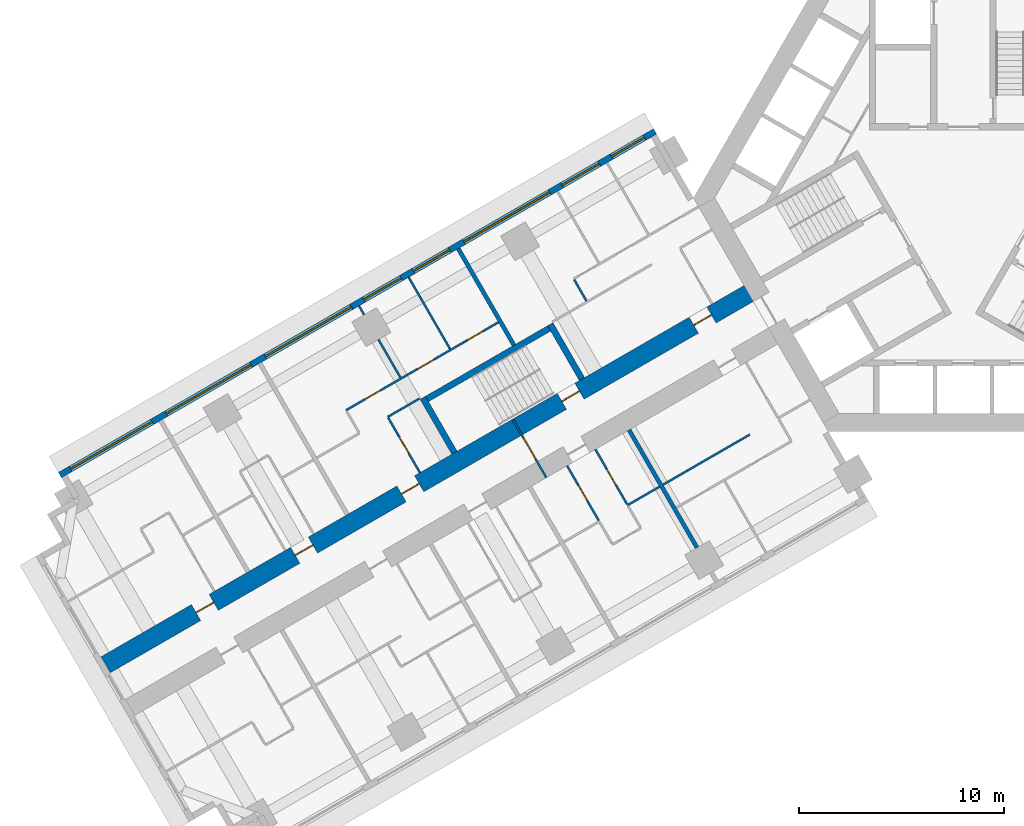
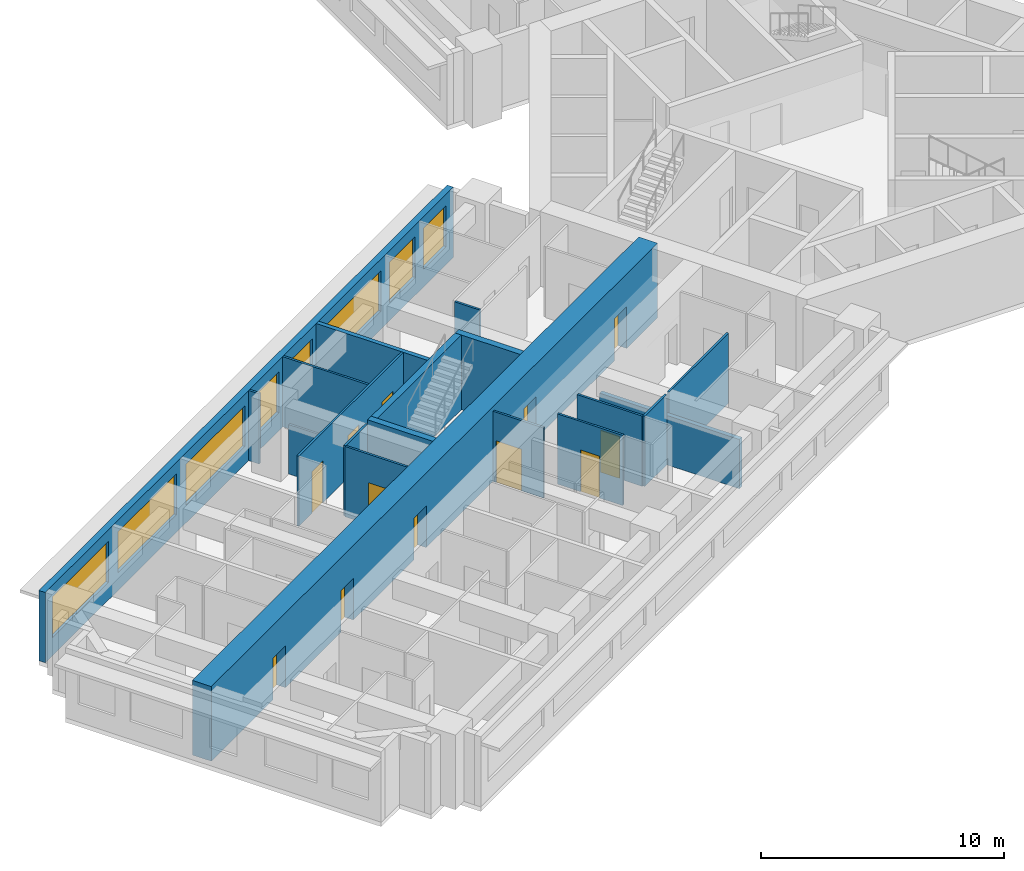
# One storey, part 5 of 16: 19 walls, 12 doors, 8 windows, 20 openings.
"""IFC4 building model written with IfcOpenShell, lengths in metres."""

from ifc_helpers import new_model, si_unit, direction, frame, frame_2d, origin, place, context, subcontext, project, spatial, rectangle, extrude, material, layer, layer_set, type_object, element, fill, save


model = new_model("IFC4")

# Units and contexts
model_context = context("Model", 3, precision=1e-05, world=origin(), true_north=direction((0.0, 1.0)))
body_context = subcontext(model_context, "Body", "Model", "MODEL_VIEW")
ifc_project = project(units=[si_unit("LENGTHUNIT", "METRE"), si_unit("AREAUNIT", "SQUARE_METRE"), si_unit("VOLUMEUNIT", "CUBIC_METRE"), si_unit("PLANEANGLEUNIT", "RADIAN"), si_unit("MASSUNIT", "GRAM", prefix="KILO")], contexts=[model_context])

# Site, building, storey
site_placement = place(None, origin())
site = spatial("IfcSite", under=ifc_project, at=site_placement, CompositionType="ELEMENT")
building_placement = place(site_placement, origin())
building = spatial("IfcBuilding", under=site, at=building_placement, Name="Impinga Residences", CompositionType="ELEMENT")
storey_placement = place(building_placement, frame((0.0, 0.0, 67.25)))
storey = spatial("IfcBuildingStorey", under=building, at=storey_placement, Name="L16", CompositionType="ELEMENT", Elevation=67.25)

# Wall, openings, doors
ifc_material_1 = material(Name="Concrete C70/85", Category="concrete")
ifc_layer_1 = layer(ifc_material_1, 0.89990234375)
ifc_layer_set_1 = layer_set([ifc_layer_1], Name="Concrete C70/85")
wall_type_1 = type_object("IfcWallType", Name="BW1 corridor buttress wall, L05 to L22 900", PredefinedType="SHEAR", material=ifc_layer_set_1)
wall_1_placement = place(storey_placement, frame((-10.1103515625, -4.451416015625, 0.0), z_axis=(0.0, 0.0, 1.0), x_axis=(-0.866025284237, -0.500000207062, 0.0)))
wall_1 = element("IfcWall", 1, at=wall_1_placement, inside=storey, type_object=wall_type_1, Name="Corridor wall BW1 WD L16", PredefinedType="SHEAR", context=body_context, shape_type="SweptSolid", body=[
    extrude(rectangle(XDim=36.75, YDim=0.89990234375, at=frame_2d((18.375, 0.0))), origin(), (0.0, 0.0, 1.0), 3.75),
])
opening_1_placement = place(wall_1_placement, frame((10.0, 0.0, 0.0)))
opening_1 = element("IfcOpeningElement", 2, at=opening_1_placement, cuts=wall_1, Name="Opening D5", PredefinedType="OPENING", context=body_context, shape_type="SweptSolid", body=[
    extrude(rectangle(XDim=1.0, YDim=2.10009765625, at=frame_2d((0.5, 1.050048828125))), frame((0.0, 0.4599609375, 0.0), z_axis=(0.0, -1.0, 0.0), x_axis=(1.0, 0.0, 0.0)), (0.0, 0.0, 1.0), 0.919921875),
])
opening_2_placement = place(wall_1_placement, frame((2.550048828125, 0.0, 0.0)))
opening_2 = element("IfcOpeningElement", 3, at=opening_2_placement, cuts=wall_1, Name="Opening D1", PredefinedType="OPENING", context=body_context, shape_type="SweptSolid", body=[
    extrude(rectangle(XDim=1.0, YDim=2.10009765625, at=frame_2d((0.5, 1.050048828125))), frame((0.0, 0.4599609375, 0.0), z_axis=(0.0, -1.0, 0.0), x_axis=(1.0, 0.0, 0.0)), (0.0, 0.0, 1.0), 0.919921875),
])
opening_3_placement = place(wall_1_placement, frame((19.050048828125, 0.0, 0.0)))
opening_3 = element("IfcOpeningElement", 4, at=opening_3_placement, cuts=wall_1, Name="Opening D1", PredefinedType="OPENING", context=body_context, shape_type="SweptSolid", body=[
    extrude(rectangle(XDim=1.0, YDim=2.10009765625, at=frame_2d((0.5, 1.050048828125))), frame((0.0, 0.4599609375, 0.0), z_axis=(0.0, -1.0, 0.0), x_axis=(1.0, 0.0, 0.0)), (0.0, 0.0, 1.0), 0.919921875),
])
opening_4_placement = place(wall_1_placement, frame((25.050048828125, 0.0, 0.0)))
opening_4 = element("IfcOpeningElement", 5, at=opening_4_placement, cuts=wall_1, Name="Opening D1", PredefinedType="OPENING", context=body_context, shape_type="SweptSolid", body=[
    extrude(rectangle(XDim=1.0, YDim=2.10009765625, at=frame_2d((0.5, 1.050048828125))), frame((0.0, 0.4599609375, 0.0), z_axis=(0.0, -1.0, 0.0), x_axis=(1.0, 0.0, 0.0)), (0.0, 0.0, 1.0), 0.919921875),
])
opening_5_placement = place(wall_1_placement, frame((30.64990234375, 0.0, 0.0)))
opening_5 = element("IfcOpeningElement", 6, at=opening_5_placement, cuts=wall_1, Name="Opening D1", PredefinedType="OPENING", context=body_context, shape_type="SweptSolid", body=[
    extrude(rectangle(XDim=1.0, YDim=2.10009765625, at=frame_2d((0.5, 1.050048828125))), frame((0.0, 0.4599609375, 0.0), z_axis=(0.0, -1.0, 0.0), x_axis=(1.0, 0.0, 0.0)), (0.0, 0.0, 1.0), 0.919921875),
])
ifc_material_2 = material(Name="Timber door set", Category="wood")
door_type_1 = type_object("IfcDoorType", Name="D1 apartment entrance door 1000x2100", OperationType="SINGLE_SWING_LEFT", PredefinedType="DOOR", material=ifc_material_2)
door_1_placement = place(opening_2_placement, origin())
door_1 = element("IfcDoor", 7, at=door_1_placement, inside=storey, type_object=door_type_1, Name="Apartment L16-WF1 entrance", OperationType="SINGLE_SWING_LEFT", OverallHeight=2.10009765625, OverallWidth=1.0, PredefinedType="DOOR", context=body_context, shape_type="SweptSolid", body=[
    extrude(rectangle(XDim=1.0, YDim=2.10009765625, at=frame_2d((0.5, 1.050048828125))), frame((0.0, 0.02490234375, 0.0), z_axis=(0.0, -1.0, 0.0), x_axis=(1.0, 0.0, 0.0)), (0.0, 0.0, 1.0), 0.050048828125),
])
fill(opening_2, door_1)
door_2_placement = place(opening_3_placement, origin())
door_2 = element("IfcDoor", 8, at=door_2_placement, inside=storey, type_object=door_type_1, Name="Apartment L16-WF2 entrance", OperationType="SINGLE_SWING_RIGHT", OverallHeight=2.10009765625, OverallWidth=1.0, PredefinedType="DOOR", context=body_context, shape_type="SweptSolid", body=[
    extrude(rectangle(XDim=1.0, YDim=2.10009765625, at=frame_2d((0.5, 1.050048828125))), frame((0.0, 0.02490234375, 0.0), z_axis=(0.0, -1.0, 0.0), x_axis=(1.0, 0.0, 0.0)), (0.0, 0.0, 1.0), 0.050048828125),
])
fill(opening_3, door_2)
door_3_placement = place(opening_4_placement, origin())
door_3 = element("IfcDoor", 9, at=door_3_placement, inside=storey, type_object=door_type_1, Name="Apartment L16-WF3 entrance", OperationType="SINGLE_SWING_RIGHT", OverallHeight=2.10009765625, OverallWidth=1.0, PredefinedType="DOOR", context=body_context, shape_type="SweptSolid", body=[
    extrude(rectangle(XDim=1.0, YDim=2.10009765625, at=frame_2d((0.5, 1.050048828125))), frame((0.0, 0.02490234375, 0.0), z_axis=(0.0, -1.0, 0.0), x_axis=(1.0, 0.0, 0.0)), (0.0, 0.0, 1.0), 0.050048828125),
])
fill(opening_4, door_3)
door_4_placement = place(opening_5_placement, origin())
door_4 = element("IfcDoor", 10, at=door_4_placement, inside=storey, type_object=door_type_1, Name="Apartment L16-WF4 entrance", OperationType="SINGLE_SWING_RIGHT", OverallHeight=2.10009765625, OverallWidth=1.0, PredefinedType="DOOR", context=body_context, shape_type="SweptSolid", body=[
    extrude(rectangle(XDim=1.0, YDim=2.10009765625, at=frame_2d((0.5, 1.050048828125))), frame((0.0, 0.02490234375, 0.0), z_axis=(0.0, -1.0, 0.0), x_axis=(1.0, 0.0, 0.0)), (0.0, 0.0, 1.0), 0.050048828125),
])
fill(opening_5, door_4)
door_type_2 = type_object("IfcDoorType", Name="D5 stair door 1000x2100", OperationType="SINGLE_SWING_LEFT", PredefinedType="DOOR", material=ifc_material_2)
door_5_placement = place(opening_1_placement, origin())
door_5 = element("IfcDoor", 11, at=door_5_placement, inside=storey, type_object=door_type_2, Name="Wing stair door W", OperationType="SINGLE_SWING_LEFT", OverallHeight=2.10009765625, OverallWidth=1.0, PredefinedType="DOOR", context=body_context, shape_type="SweptSolid", body=[
    extrude(rectangle(XDim=1.0, YDim=2.10009765625, at=frame_2d((0.5, 1.050048828125))), frame((0.0, 0.02490234375, 0.0), z_axis=(0.0, -1.0, 0.0), x_axis=(1.0, 0.0, 0.0)), (0.0, 0.0, 1.0), 0.050048828125),
])
fill(opening_1, door_5)

# Wall, opening, door
ifc_material_3 = material(Name="Concrete blockwork", Category="masonry")
ifc_layer_2 = layer(ifc_material_3, 0.10009765625)
ifc_layer_set_2 = layer_set([ifc_layer_2], Name="CP1 core room partition, blockwork 100")
wall_type_2 = type_object("IfcWallType", Name="CP1 core room partition, blockwork 100", PredefinedType="PARTITIONING", material=ifc_layer_set_2)
wall_2_placement = place(storey_placement, frame((-20.392578125, -13.678955078125, 0.0), z_axis=(0.0, 0.0, 1.0), x_axis=(-0.50002983664, 0.866008176907, 0.0)))
wall_2 = element("IfcWall", 12, at=wall_2_placement, inside=storey, type_object=wall_type_2, Name="Core room partition, blockwork L16:W:SCR", PredefinedType="PARTITIONING", context=body_context, shape_type="SweptSolid", body=[
    extrude(rectangle(XDim=3.300048828125, YDim=0.10009765625, at=frame_2d((1.64990234375, 0.0))), origin(), (0.0, 0.0, 1.0), 3.530029296875),
])
opening_6_placement = place(wall_2_placement, frame((1.050048828125, 0.0, 0.0)))
opening_6 = element("IfcOpeningElement", 13, at=opening_6_placement, cuts=wall_2, Name="Opening D3", PredefinedType="OPENING", context=body_context, shape_type="SweptSolid", body=[
    extrude(rectangle(XDim=1.199951171875, YDim=2.10009765625, at=frame_2d((0.60009765625, 1.050048828125))), frame((0.0, 0.06005859375, 0.0), z_axis=(0.0, -1.0, 0.0), x_axis=(1.0, 0.0, 0.0)), (0.0, 0.0, 1.0), 0.1201171875),
])
door_type_3 = type_object("IfcDoorType", Name="D3 room door, leaf and a half 1200x2100", OperationType="DOUBLE_SWING_LEFT", PredefinedType="DOOR", material=ifc_material_2)
door_6_placement = place(opening_6_placement, origin())
door_6 = element("IfcDoor", 14, at=door_6_placement, inside=storey, type_object=door_type_3, Name="Corridor smoke door W", OperationType="DOUBLE_SWING_LEFT", OverallHeight=2.10009765625, OverallWidth=1.199951171875, PredefinedType="DOOR", context=body_context, shape_type="SweptSolid", body=[
    extrude(rectangle(XDim=1.199951171875, YDim=2.10009765625, at=frame_2d((0.60009765625, 1.050048828125))), frame((0.0, 0.02490234375, 0.0), z_axis=(0.0, -1.0, 0.0), x_axis=(1.0, 0.0, 0.0)), (0.0, 0.0, 1.0), 0.050048828125),
])
fill(opening_6, door_6)

# Wall, openings, windows
ifc_material_4 = material(Name="Terracotta rainscreen on blockwork", Category="masonry")
ifc_layer_3 = layer(ifc_material_4, 0.300048828125)
ifc_layer_set_3 = layer_set([ifc_layer_3], Name="EW1 external wall, terracotta rainscreen on blockwork 300")
wall_type_3 = type_object("IfcWallType", Name="EW1 external wall, terracotta rainscreen on blockwork 300", PredefinedType="SOLIDWALL", material=ifc_layer_set_3)
wall_3_placement = place(storey_placement, frame((-44.17333984375, -13.552490234375, 0.0), z_axis=(0.0, 0.0, 1.0), x_axis=(0.866024291668, 0.500001926238, 0.0)))
wall_3 = element("IfcWall", 15, at=wall_3_placement, inside=storey, type_object=wall_type_3, Name="External wall EW1 L16", PredefinedType="SOLIDWALL", context=body_context, shape_type="SweptSolid", body=[
    extrude(rectangle(XDim=33.599853515625, YDim=0.300048828125, at=frame_2d((16.7998046875, 0.0))), origin(), (0.0, 0.0, 1.0), 3.530029296875),
])
opening_7_placement = place(wall_3_placement, frame((0.60009765625, 0.0, 0.89990234375)))
opening_7 = element("IfcOpeningElement", 16, at=opening_7_placement, cuts=wall_3, Name="Opening W3", PredefinedType="OPENING", context=body_context, shape_type="SweptSolid", body=[
    extrude(rectangle(XDim=4.60009765625, YDim=2.050048828125, at=frame_2d((2.300048828125, 1.02490234375))), frame((0.0, 0.159912109375, 0.0), z_axis=(0.0, -1.0, 0.0), x_axis=(1.0, 0.0, 0.0)), (0.0, 0.0, 1.0), 0.320068359375),
])
opening_8_placement = place(wall_3_placement, frame((6.0, 0.0, 0.89990234375)))
opening_8 = element("IfcOpeningElement", 17, at=opening_8_placement, cuts=wall_3, Name="Opening W8", PredefinedType="OPENING", context=body_context, shape_type="SweptSolid", body=[
    extrude(rectangle(XDim=4.800048828125, YDim=2.050048828125, at=frame_2d((2.39990234375, 1.02490234375))), frame((0.0, 0.159912109375, 0.0), z_axis=(0.0, -1.0, 0.0), x_axis=(1.0, 0.0, 0.0)), (0.0, 0.0, 1.0), 0.320068359375),
])
opening_9_placement = place(wall_3_placement, frame((11.60009765625, 0.0, 0.89990234375)))
opening_9 = element("IfcOpeningElement", 18, at=opening_9_placement, cuts=wall_3, Name="Opening W6", PredefinedType="OPENING", context=body_context, shape_type="SweptSolid", body=[
    extrude(rectangle(XDim=4.85009765625, YDim=2.050048828125, at=frame_2d((2.425048828125, 1.02490234375))), frame((0.0, 0.159912109375, 0.0), z_axis=(0.0, -1.0, 0.0), x_axis=(1.0, 0.0, 0.0)), (0.0, 0.0, 1.0), 0.320068359375),
])
opening_10_placement = place(wall_3_placement, frame((17.14990234375, 0.0, 0.89990234375)))
opening_10 = element("IfcOpeningElement", 19, at=opening_10_placement, cuts=wall_3, Name="Opening W9", PredefinedType="OPENING", context=body_context, shape_type="SweptSolid", body=[
    extrude(rectangle(XDim=2.10009765625, YDim=2.050048828125, at=frame_2d((1.050048828125, 1.02490234375))), frame((0.0, 0.159912109375, 0.0), z_axis=(0.0, -1.0, 0.0), x_axis=(1.0, 0.0, 0.0)), (0.0, 0.0, 1.0), 0.320068359375),
])
opening_11_placement = place(wall_3_placement, frame((19.949951171875, 0.0, 0.89990234375)))
opening_11 = element("IfcOpeningElement", 20, at=opening_11_placement, cuts=wall_3, Name="Opening W14", PredefinedType="OPENING", context=body_context, shape_type="SweptSolid", body=[
    extrude(rectangle(XDim=2.050048828125, YDim=2.050048828125, at=frame_2d((1.02490234375, 1.02490234375))), frame((0.0, 0.159912109375, 0.0), z_axis=(0.0, -1.0, 0.0), x_axis=(1.0, 0.0, 0.0)), (0.0, 0.0, 1.0), 0.320068359375),
])
opening_12_placement = place(wall_3_placement, frame((22.800048828125, 0.0, 0.89990234375)))
opening_12 = element("IfcOpeningElement", 21, at=opening_12_placement, cuts=wall_3, Name="Opening W6", PredefinedType="OPENING", context=body_context, shape_type="SweptSolid", body=[
    extrude(rectangle(XDim=4.85009765625, YDim=2.050048828125, at=frame_2d((2.425048828125, 1.02490234375))), frame((0.0, 0.159912109375, 0.0), z_axis=(0.0, -1.0, 0.0), x_axis=(1.0, 0.0, 0.0)), (0.0, 0.0, 1.0), 0.320068359375),
])
opening_13_placement = place(wall_3_placement, frame((28.35009765625, 0.0, 0.89990234375)))
opening_13 = element("IfcOpeningElement", 22, at=opening_13_placement, cuts=wall_3, Name="Opening W9", PredefinedType="OPENING", context=body_context, shape_type="SweptSolid", body=[
    extrude(rectangle(XDim=2.10009765625, YDim=2.050048828125, at=frame_2d((1.050048828125, 1.02490234375))), frame((0.0, 0.159912109375, 0.0), z_axis=(0.0, -1.0, 0.0), x_axis=(1.0, 0.0, 0.0)), (0.0, 0.0, 1.0), 0.320068359375),
])
opening_14_placement = place(wall_3_placement, frame((31.14990234375, 0.0, 0.89990234375)))
opening_14 = element("IfcOpeningElement", 23, at=opening_14_placement, cuts=wall_3, Name="Opening W15", PredefinedType="OPENING", context=body_context, shape_type="SweptSolid", body=[
    extrude(rectangle(XDim=1.85009765625, YDim=2.050048828125, at=frame_2d((0.925048828125, 1.02490234375))), frame((0.0, 0.159912109375, 0.0), z_axis=(0.0, -1.0, 0.0), x_axis=(1.0, 0.0, 0.0)), (0.0, 0.0, 1.0), 0.320068359375),
])
ifc_material_5 = material(Name="Aluminium window, clear double glazing", Category="aluminium")
window_type_1 = type_object("IfcWindowType", Name="W14 ribbon window 2050x2050", PartitioningType="SINGLE_PANEL", PredefinedType="WINDOW", material=ifc_material_5)
window_1_placement = place(opening_11_placement, origin())
window_1 = element("IfcWindow", 24, at=window_1_placement, inside=storey, type_object=window_type_1, Name="Window L16", OverallHeight=2.050048828125, OverallWidth=2.050048828125, PartitioningType="SINGLE_PANEL", PredefinedType="WINDOW", context=body_context, shape_type="SweptSolid", body=[
    extrude(rectangle(XDim=2.050048828125, YDim=2.050048828125, at=frame_2d((1.02490234375, 1.02490234375))), frame((0.0, 0.030029296875, 0.0), z_axis=(0.0, -1.0, 0.0), x_axis=(1.0, 0.0, 0.0)), (0.0, 0.0, 1.0), 0.06005859375),
])
fill(opening_11, window_1)
window_type_2 = type_object("IfcWindowType", Name="W15 ribbon window 1850x2050", PartitioningType="SINGLE_PANEL", PredefinedType="WINDOW", material=ifc_material_5)
window_2_placement = place(opening_14_placement, origin())
window_2 = element("IfcWindow", 25, at=window_2_placement, inside=storey, type_object=window_type_2, Name="Window L16", OverallHeight=2.050048828125, OverallWidth=1.85009765625, PartitioningType="SINGLE_PANEL", PredefinedType="WINDOW", context=body_context, shape_type="SweptSolid", body=[
    extrude(rectangle(XDim=1.85009765625, YDim=2.050048828125, at=frame_2d((0.925048828125, 1.02490234375))), frame((0.0, 0.030029296875, 0.0), z_axis=(0.0, -1.0, 0.0), x_axis=(1.0, 0.0, 0.0)), (0.0, 0.0, 1.0), 0.06005859375),
])
fill(opening_14, window_2)
window_type_3 = type_object("IfcWindowType", Name="W3 ribbon window 4600x2050", PartitioningType="SINGLE_PANEL", PredefinedType="WINDOW", material=ifc_material_5)
window_3_placement = place(opening_7_placement, origin())
window_3 = element("IfcWindow", 26, at=window_3_placement, inside=storey, type_object=window_type_3, Name="Window L16", OverallHeight=2.050048828125, OverallWidth=4.60009765625, PartitioningType="SINGLE_PANEL", PredefinedType="WINDOW", context=body_context, shape_type="SweptSolid", body=[
    extrude(rectangle(XDim=4.60009765625, YDim=2.050048828125, at=frame_2d((2.300048828125, 1.02490234375))), frame((0.0, 0.030029296875, 0.0), z_axis=(0.0, -1.0, 0.0), x_axis=(1.0, 0.0, 0.0)), (0.0, 0.0, 1.0), 0.06005859375),
])
fill(opening_7, window_3)
window_type_4 = type_object("IfcWindowType", Name="W6 ribbon window 4850x2050", PartitioningType="SINGLE_PANEL", PredefinedType="WINDOW", material=ifc_material_5)
window_4_placement = place(opening_9_placement, origin())
window_4 = element("IfcWindow", 27, at=window_4_placement, inside=storey, type_object=window_type_4, Name="Window L16", OverallHeight=2.050048828125, OverallWidth=4.85009765625, PartitioningType="SINGLE_PANEL", PredefinedType="WINDOW", context=body_context, shape_type="SweptSolid", body=[
    extrude(rectangle(XDim=4.85009765625, YDim=2.050048828125, at=frame_2d((2.425048828125, 1.02490234375))), frame((0.0, 0.030029296875, 0.0), z_axis=(0.0, -1.0, 0.0), x_axis=(1.0, 0.0, 0.0)), (0.0, 0.0, 1.0), 0.06005859375),
])
fill(opening_9, window_4)
window_5_placement = place(opening_12_placement, origin())
window_5 = element("IfcWindow", 28, at=window_5_placement, inside=storey, type_object=window_type_4, Name="Window L16", OverallHeight=2.050048828125, OverallWidth=4.85009765625, PartitioningType="SINGLE_PANEL", PredefinedType="WINDOW", context=body_context, shape_type="SweptSolid", body=[
    extrude(rectangle(XDim=4.85009765625, YDim=2.050048828125, at=frame_2d((2.425048828125, 1.02490234375))), frame((0.0, 0.030029296875, 0.0), z_axis=(0.0, -1.0, 0.0), x_axis=(1.0, 0.0, 0.0)), (0.0, 0.0, 1.0), 0.06005859375),
])
fill(opening_12, window_5)
window_type_5 = type_object("IfcWindowType", Name="W8 ribbon window 4800x2050", PartitioningType="SINGLE_PANEL", PredefinedType="WINDOW", material=ifc_material_5)
window_6_placement = place(opening_8_placement, origin())
window_6 = element("IfcWindow", 29, at=window_6_placement, inside=storey, type_object=window_type_5, Name="Window L16", OverallHeight=2.050048828125, OverallWidth=4.800048828125, PartitioningType="SINGLE_PANEL", PredefinedType="WINDOW", context=body_context, shape_type="SweptSolid", body=[
    extrude(rectangle(XDim=4.800048828125, YDim=2.050048828125, at=frame_2d((2.39990234375, 1.02490234375))), frame((0.0, 0.030029296875, 0.0), z_axis=(0.0, -1.0, 0.0), x_axis=(1.0, 0.0, 0.0)), (0.0, 0.0, 1.0), 0.06005859375),
])
fill(opening_8, window_6)
window_type_6 = type_object("IfcWindowType", Name="W9 ribbon window 2100x2050", PartitioningType="SINGLE_PANEL", PredefinedType="WINDOW", material=ifc_material_5)
window_7_placement = place(opening_10_placement, origin())
window_7 = element("IfcWindow", 30, at=window_7_placement, inside=storey, type_object=window_type_6, Name="Window L16", OverallHeight=2.050048828125, OverallWidth=2.10009765625, PartitioningType="SINGLE_PANEL", PredefinedType="WINDOW", context=body_context, shape_type="SweptSolid", body=[
    extrude(rectangle(XDim=2.10009765625, YDim=2.050048828125, at=frame_2d((1.050048828125, 1.02490234375))), frame((0.0, 0.030029296875, 0.0), z_axis=(0.0, -1.0, 0.0), x_axis=(1.0, 0.0, 0.0)), (0.0, 0.0, 1.0), 0.06005859375),
])
fill(opening_10, window_7)
window_8_placement = place(opening_13_placement, origin())
window_8 = element("IfcWindow", 31, at=window_8_placement, inside=storey, type_object=window_type_6, Name="Window L16", OverallHeight=2.050048828125, OverallWidth=2.10009765625, PartitioningType="SINGLE_PANEL", PredefinedType="WINDOW", context=body_context, shape_type="SweptSolid", body=[
    extrude(rectangle(XDim=2.10009765625, YDim=2.050048828125, at=frame_2d((1.050048828125, 1.02490234375))), frame((0.0, 0.030029296875, 0.0), z_axis=(0.0, -1.0, 0.0), x_axis=(1.0, 0.0, 0.0)), (0.0, 0.0, 1.0), 0.06005859375),
])
fill(opening_13, window_8)

# Walls
ifc_material_6 = material(Name="Gypsum board on steel studs", Category="steel")
ifc_layer_4 = layer(ifc_material_6, 0.10009765625)
ifc_layer_set_4 = layer_set([ifc_layer_4], Name="Gypsum board on steel studs")
wall_type_4 = type_object("IfcWallType", Name="IP1 partition 100", PredefinedType="PARTITIONING", material=ifc_layer_set_4)
wall_4_placement = place(storey_placement, frame((-10.444580078125, -11.57275390625, 0.0), z_axis=(0.0, 0.0, 1.0), x_axis=(-0.866023786258, -0.500002801628, 0.0)))
element("IfcWall", 32, at=wall_4_placement, inside=storey, type_object=wall_type_4, Name="Partition L16-WA1:DIV1", PredefinedType="PARTITIONING", context=body_context, shape_type="SweptSolid", body=[
    extrude(rectangle(XDim=4.89990234375, YDim=0.10009765625, at=frame_2d((2.449951171875, 0.0))), origin(), (0.0, 0.0, 1.0), 3.530029296875),
])
wall_5_placement = place(storey_placement, frame((-14.861328125, -14.122802734375, 0.0), z_axis=(0.0, 0.0, 1.0), x_axis=(-0.866047807691, -0.499961193289, 0.0)))
element("IfcWall", 33, at=wall_5_placement, inside=storey, type_object=wall_type_4, Name="Partition L16-WA2:DIV0", PredefinedType="PARTITIONING", context=body_context, shape_type="SweptSolid", body=[
    extrude(rectangle(XDim=1.800048828125, YDim=0.10009765625, at=frame_2d((0.89990234375, 0.0))), origin(), (0.0, 0.0, 1.0), 3.530029296875),
])

# Wall, opening, door
wall_6_placement = place(storey_placement, frame((-17.9951171875, -12.294677734375, 0.0), z_axis=(0.0, 0.0, 1.0), x_axis=(0.49999285859, -0.86602952684, 0.0)))
wall_6 = element("IfcWall", 34, at=wall_6_placement, inside=storey, type_object=wall_type_4, Name="Partition L16-WA2:IB1", PredefinedType="PARTITIONING", context=body_context, shape_type="SweptSolid", body=[
    extrude(rectangle(XDim=3.10009765625, YDim=0.10009765625, at=frame_2d((1.550048828125, 0.0))), origin(), (0.0, 0.0, 1.0), 3.530029296875),
])
opening_15_placement = place(wall_6_placement, frame((1.10009765625, 0.0, 0.0)))
opening_15 = element("IfcOpeningElement", 35, at=opening_15_placement, cuts=wall_6, Name="Opening D2", PredefinedType="OPENING", context=body_context, shape_type="SweptSolid", body=[
    extrude(rectangle(XDim=0.89990234375, YDim=2.10009765625, at=frame_2d((0.449951171875, 1.050048828125))), frame((0.0, 0.06005859375, 0.0), z_axis=(0.0, -1.0, 0.0), x_axis=(1.0, 0.0, 0.0)), (0.0, 0.0, 1.0), 0.1201171875),
])
door_type_4 = type_object("IfcDoorType", Name="D2 internal door 900x2100", OperationType="SINGLE_SWING_LEFT", PredefinedType="DOOR", material=ifc_material_2)
door_7_placement = place(opening_15_placement, origin())
door_7 = element("IfcDoor", 36, at=door_7_placement, inside=storey, type_object=door_type_4, Name="Apartment L16-WA2 bathroom door", OperationType="SINGLE_SWING_LEFT", OverallHeight=2.10009765625, OverallWidth=0.89990234375, PredefinedType="DOOR", context=body_context, shape_type="SweptSolid", body=[
    extrude(rectangle(XDim=0.89990234375, YDim=2.10009765625, at=frame_2d((0.449951171875, 1.050048828125))), frame((0.0, 0.02490234375, 0.0), z_axis=(0.0, -1.0, 0.0), x_axis=(1.0, 0.0, 0.0)), (0.0, 0.0, 1.0), 0.050048828125),
])
fill(opening_15, door_7)

wall_7_placement = place(storey_placement, frame((-19.380615234375, -13.0947265625, 0.0), z_axis=(0.0, 0.0, 1.0), x_axis=(0.499967891604, -0.866043940782, 0.0)))
wall_7 = element("IfcWall", 37, at=wall_7_placement, inside=storey, type_object=wall_type_4, Name="Partition L16-WA2:IB2", PredefinedType="PARTITIONING", context=body_context, shape_type="SweptSolid", body=[
    extrude(rectangle(XDim=3.099853515625, YDim=0.10009765625, at=frame_2d((1.5498046875, 0.0))), origin(), (0.0, 0.0, 1.0), 3.530029296875),
])
opening_16_placement = place(wall_7_placement, frame((1.10009765625, 0.0, 0.0)))
opening_16 = element("IfcOpeningElement", 38, at=opening_16_placement, cuts=wall_7, Name="Opening D2", PredefinedType="OPENING", context=body_context, shape_type="SweptSolid", body=[
    extrude(rectangle(XDim=0.89990234375, YDim=2.10009765625, at=frame_2d((0.449951171875, 1.050048828125))), frame((0.0, 0.06005859375, 0.0), z_axis=(0.0, -1.0, 0.0), x_axis=(1.0, 0.0, 0.0)), (0.0, 0.0, 1.0), 0.1201171875),
])
door_8_placement = place(opening_16_placement, origin())
door_8 = element("IfcDoor", 39, at=door_8_placement, inside=storey, type_object=door_type_4, Name="Apartment L16-WA2 WC door", OperationType="SINGLE_SWING_LEFT", OverallHeight=2.10009765625, OverallWidth=0.89990234375, PredefinedType="DOOR", context=body_context, shape_type="SweptSolid", body=[
    extrude(rectangle(XDim=0.89990234375, YDim=2.10009765625, at=frame_2d((0.449951171875, 1.050048828125))), frame((0.0, 0.02490234375, 0.0), z_axis=(0.0, -1.0, 0.0), x_axis=(1.0, 0.0, 0.0)), (0.0, 0.0, 1.0), 0.050048828125),
])
fill(opening_16, door_8)

# Walls
wall_8_placement = place(storey_placement, frame((-18.430419921875, -5.04052734375, 0.0), z_axis=(0.0, 0.0, 1.0), x_axis=(-0.500033551112, 0.866006032174, 0.0)))
element("IfcWall", 40, at=wall_8_placement, inside=storey, type_object=wall_type_4, Name="Partition L16-WF1:SE1", PredefinedType="PARTITIONING", context=body_context, shape_type="SweptSolid", body=[
    extrude(rectangle(XDim=1.2001953125, YDim=0.10009765625, at=frame_2d((0.60009765625, 0.0))), origin(), (0.0, 0.0, 1.0), 3.530029296875),
])
wall_9_placement = place(storey_placement, frame((-26.58935546875, -9.808837890625, 0.0), z_axis=(0.0, 0.0, 1.0), x_axis=(-0.866047807691, -0.499961193289, 0.0)))
element("IfcWall", 41, at=wall_9_placement, inside=storey, type_object=wall_type_4, Name="Partition L16-WF2:DIV0", PredefinedType="PARTITIONING", context=body_context, shape_type="SweptSolid", body=[
    extrude(rectangle(XDim=1.800048828125, YDim=0.10009765625, at=frame_2d((0.89990234375, 0.0))), origin(), (0.0, 0.0, 1.0), 3.530029296875),
])

# Wall, openings, doors
wall_10_placement = place(storey_placement, frame((-22.736083984375, -6.0830078125, 0.0), z_axis=(0.0, 0.0, 1.0), x_axis=(-0.866021068297, -0.500007509209, 0.0)))
wall_10 = element("IfcWall", 42, at=wall_10_placement, inside=storey, type_object=wall_type_4, Name="Partition L16-WF2:STRIP", PredefinedType="PARTITIONING", context=body_context, shape_type="SweptSolid", body=[
    extrude(rectangle(XDim=8.599853515625, YDim=0.10009765625, at=frame_2d((4.2998046875, 0.0))), origin(), (0.0, 0.0, 1.0), 3.530029296875),
])
opening_17_placement = place(wall_10_placement, frame((0.875, 0.0, 0.0)))
opening_17 = element("IfcOpeningElement", 43, at=opening_17_placement, cuts=wall_10, Name="Opening D2", PredefinedType="OPENING", context=body_context, shape_type="SweptSolid", body=[
    extrude(rectangle(XDim=0.89990234375, YDim=2.10009765625, at=frame_2d((0.449951171875, 1.050048828125))), frame((0.0, 0.06005859375, 0.0), z_axis=(0.0, -1.0, 0.0), x_axis=(1.0, 0.0, 0.0)), (0.0, 0.0, 1.0), 0.1201171875),
])
opening_18_placement = place(wall_10_placement, frame((3.64990234375, 0.0, 0.0)))
opening_18 = element("IfcOpeningElement", 44, at=opening_18_placement, cuts=wall_10, Name="Opening D2", PredefinedType="OPENING", context=body_context, shape_type="SweptSolid", body=[
    extrude(rectangle(XDim=0.89990234375, YDim=2.10009765625, at=frame_2d((0.449951171875, 1.050048828125))), frame((0.0, 0.06005859375, 0.0), z_axis=(0.0, -1.0, 0.0), x_axis=(1.0, 0.0, 0.0)), (0.0, 0.0, 1.0), 0.1201171875),
])
opening_19_placement = place(wall_10_placement, frame((6.625, 0.0, 0.0)))
opening_19 = element("IfcOpeningElement", 45, at=opening_19_placement, cuts=wall_10, Name="Opening D2", PredefinedType="OPENING", context=body_context, shape_type="SweptSolid", body=[
    extrude(rectangle(XDim=0.89990234375, YDim=2.10009765625, at=frame_2d((0.449951171875, 1.050048828125))), frame((0.0, 0.06005859375, 0.0), z_axis=(0.0, -1.0, 0.0), x_axis=(1.0, 0.0, 0.0)), (0.0, 0.0, 1.0), 0.1201171875),
])
door_9_placement = place(opening_17_placement, origin())
door_9 = element("IfcDoor", 46, at=door_9_placement, inside=storey, type_object=door_type_4, Name="Apartment L16-WF2 room door", OperationType="SINGLE_SWING_LEFT", OverallHeight=2.10009765625, OverallWidth=0.89990234375, PredefinedType="DOOR", context=body_context, shape_type="SweptSolid", body=[
    extrude(rectangle(XDim=0.89990234375, YDim=2.10009765625, at=frame_2d((0.449951171875, 1.050048828125))), frame((0.0, 0.02490234375, 0.0), z_axis=(0.0, -1.0, 0.0), x_axis=(1.0, 0.0, 0.0)), (0.0, 0.0, 1.0), 0.050048828125),
])
fill(opening_17, door_9)
door_10_placement = place(opening_18_placement, origin())
door_10 = element("IfcDoor", 47, at=door_10_placement, inside=storey, type_object=door_type_4, Name="Apartment L16-WF2 room door", OperationType="SINGLE_SWING_LEFT", OverallHeight=2.10009765625, OverallWidth=0.89990234375, PredefinedType="DOOR", context=body_context, shape_type="SweptSolid", body=[
    extrude(rectangle(XDim=0.89990234375, YDim=2.10009765625, at=frame_2d((0.449951171875, 1.050048828125))), frame((0.0, 0.02490234375, 0.0), z_axis=(0.0, -1.0, 0.0), x_axis=(1.0, 0.0, 0.0)), (0.0, 0.0, 1.0), 0.050048828125),
])
fill(opening_18, door_10)
door_11_placement = place(opening_19_placement, origin())
door_11 = element("IfcDoor", 48, at=door_11_placement, inside=storey, type_object=door_type_4, Name="Apartment L16-WF2 room door", OperationType="SINGLE_SWING_RIGHT", OverallHeight=2.10009765625, OverallWidth=0.89990234375, PredefinedType="DOOR", context=body_context, shape_type="SweptSolid", body=[
    extrude(rectangle(XDim=0.89990234375, YDim=2.10009765625, at=frame_2d((0.449951171875, 1.050048828125))), frame((0.0, 0.02490234375, 0.0), z_axis=(0.0, -1.0, 0.0), x_axis=(1.0, 0.0, 0.0)), (0.0, 0.0, 1.0), 0.050048828125),
])
fill(opening_19, door_11)

# Wall, opening, door
wall_11_placement = place(storey_placement, frame((-26.5732421875, -13.436767578125, 0.0), z_axis=(0.0, 0.0, 1.0), x_axis=(-0.500026960575, 0.86600983753, 0.0)))
wall_11 = element("IfcWall", 49, at=wall_11_placement, inside=storey, type_object=wall_type_4, Name="Partition L16-WF2:IB1", PredefinedType="PARTITIONING", context=body_context, shape_type="SweptSolid", body=[
    extrude(rectangle(XDim=3.099853515625, YDim=0.10009765625, at=frame_2d((1.5498046875, 0.0))), origin(), (0.0, 0.0, 1.0), 3.530029296875),
])
opening_20_placement = place(wall_11_placement, frame((1.10009765625, 0.0, 0.0)))
opening_20 = element("IfcOpeningElement", 50, at=opening_20_placement, cuts=wall_11, Name="Opening D2", PredefinedType="OPENING", context=body_context, shape_type="SweptSolid", body=[
    extrude(rectangle(XDim=0.89990234375, YDim=2.10009765625, at=frame_2d((0.449951171875, 1.050048828125))), frame((0.0, 0.06005859375, 0.0), z_axis=(0.0, -1.0, 0.0), x_axis=(1.0, 0.0, 0.0)), (0.0, 0.0, 1.0), 0.1201171875),
])
door_12_placement = place(opening_20_placement, origin())
door_12 = element("IfcDoor", 51, at=door_12_placement, inside=storey, type_object=door_type_4, Name="Apartment L16-WF2 bathroom door", OperationType="SINGLE_SWING_LEFT", OverallHeight=2.10009765625, OverallWidth=0.89990234375, PredefinedType="DOOR", context=body_context, shape_type="SweptSolid", body=[
    extrude(rectangle(XDim=0.89990234375, YDim=2.10009765625, at=frame_2d((0.449951171875, 1.050048828125))), frame((0.0, 0.02490234375, 0.0), z_axis=(0.0, -1.0, 0.0), x_axis=(1.0, 0.0, 0.0)), (0.0, 0.0, 1.0), 0.050048828125),
])
fill(opening_20, door_12)

# Walls
wall_12_placement = place(storey_placement, frame((-25.099365234375, -7.3896484375, 0.0), z_axis=(0.0, 0.0, 1.0), x_axis=(-0.499990325971, 0.866030989016, 0.0)))
element("IfcWall", 52, at=wall_12_placement, inside=storey, type_object=wall_type_4, Name="Partition L16-WF2:OB1", PredefinedType="PARTITIONING", context=body_context, shape_type="SweptSolid", body=[
    extrude(rectangle(XDim=4.0498046875, YDim=0.10009765625, at=frame_2d((2.02490234375, 0.0))), origin(), (0.0, 0.0, 1.0), 3.530029296875),
])
wall_13_placement = place(storey_placement, frame((-27.524169921875, -8.789794921875, 0.0), z_axis=(0.0, 0.0, 1.0), x_axis=(-0.499961633463, 0.866047553582, 0.0)))
element("IfcWall", 53, at=wall_13_placement, inside=storey, type_object=wall_type_4, Name="Partition L16-WF2:OB2", PredefinedType="PARTITIONING", context=body_context, shape_type="SweptSolid", body=[
    extrude(rectangle(XDim=2.150146484375, YDim=0.10009765625, at=frame_2d((1.0751953125, 0.0))), origin(), (0.0, 0.0, 1.0), 2.47998046875),
])
wall_14_placement = place(storey_placement, frame((-29.29931640625, -5.71533203125, 0.0), z_axis=(0.0, 0.0, 1.0), x_axis=(-0.499919672301, 0.866071776036, 0.0)))
element("IfcWall", 54, at=wall_14_placement, inside=storey, type_object=wall_type_4, Name="Partition L16-WF2:OB2b", PredefinedType="PARTITIONING", context=body_context, shape_type="SweptSolid", body=[
    extrude(rectangle(XDim=0.5, YDim=0.10009765625, at=frame_2d((0.25, 0.0))), origin(), (0.0, 0.0, 1.0), 3.530029296875),
])
ifc_layer_5 = layer(ifc_material_3, 0.199951171875)
ifc_layer_set_5 = layer_set([ifc_layer_5], Name="PW1 party wall between apartments 200")
wall_type_5 = type_object("IfcWallType", Name="PW1 party wall between apartments 200", PredefinedType="SOLIDWALL", material=ifc_layer_set_5)
wall_15_placement = place(storey_placement, frame((-16.349609375, -11.3447265625, 0.0), z_axis=(0.0, 0.0, 1.0), x_axis=(0.49999681972, -0.866027239912, 0.0)))
element("IfcWall", 55, at=wall_15_placement, inside=storey, type_object=wall_type_5, Name="Party wall between apartments L16-WA1:PARTY", PredefinedType="SOLIDWALL", context=body_context, shape_type="SweptSolid", body=[
    extrude(rectangle(XDim=6.64990234375, YDim=0.199951171875, at=frame_2d((3.324951171875, 0.0))), origin(), (0.0, 0.0, 1.0), 2.47998046875),
])
wall_16_placement = place(storey_placement, frame((-21.974365234375, -7.2021484375, 0.0), z_axis=(0.0, 0.0, 1.0), x_axis=(-0.500022328685, 0.866012511928, 0.0)))
element("IfcWall", 56, at=wall_16_placement, inside=storey, type_object=wall_type_5, Name="Party wall between apartments L16-WF1:PARTY", PredefinedType="SOLIDWALL", context=body_context, shape_type="SweptSolid", body=[
    extrude(rectangle(XDim=5.449951171875, YDim=0.199951171875, at=frame_2d((2.72509765625, 0.0))), origin(), (0.0, 0.0, 1.0), 3.530029296875),
])
ifc_material_7 = material(Name="Concrete C60/75", Category="concrete")
ifc_layer_6 = layer(ifc_material_7, 0.300048828125)
ifc_layer_set_6 = layer_set([ifc_layer_6], Name="Concrete C60/75")
wall_type_6 = type_object("IfcWallType", Name="SE1 wing stair enclosure wall 300", PredefinedType="SOLIDWALL", material=ifc_layer_set_6)
wall_17_placement = place(storey_placement, frame((-18.649169921875, -8.86181640625, 0.0), z_axis=(0.0, 0.0, 1.0), x_axis=(-0.500026960575, 0.86600983753, 0.0)))
element("IfcWall", 57, at=wall_17_placement, inside=storey, type_object=wall_type_6, Name="Stair enclosure wall SE1 W END0 L16", PredefinedType="SOLIDWALL", context=body_context, shape_type="SweptSolid", body=[
    extrude(rectangle(XDim=3.099853515625, YDim=0.300048828125, at=frame_2d((1.5498046875, 0.0))), origin(), (0.0, 0.0, 1.0), 3.75),
])
wall_18_placement = place(storey_placement, frame((-24.884521484375, -12.4619140625, 0.0), z_axis=(0.0, 0.0, 1.0), x_axis=(-0.49999285859, 0.86602952684, 0.0)))
element("IfcWall", 58, at=wall_18_placement, inside=storey, type_object=wall_type_6, Name="Stair enclosure wall SE1 W END1 L16", PredefinedType="SOLIDWALL", context=body_context, shape_type="SweptSolid", body=[
    extrude(rectangle(XDim=3.10009765625, YDim=0.300048828125, at=frame_2d((1.550048828125, 0.0))), origin(), (0.0, 0.0, 1.0), 3.75),
])
wall_19_placement = place(storey_placement, frame((-20.254150390625, -6.382080078125, 0.0), z_axis=(0.0, 0.0, 1.0), x_axis=(-0.866020008033, -0.500009345598, 0.0)))
element("IfcWall", 59, at=wall_19_placement, inside=storey, type_object=wall_type_6, Name="Stair enclosure wall SE1 W OUT L16", PredefinedType="SOLIDWALL", context=body_context, shape_type="SweptSolid", body=[
    extrude(rectangle(XDim=6.899658203125, YDim=0.300048828125, at=frame_2d((3.44970703125, 0.0))), origin(), (0.0, 0.0, 1.0), 3.75),
])

save(model, "model.ifc")
